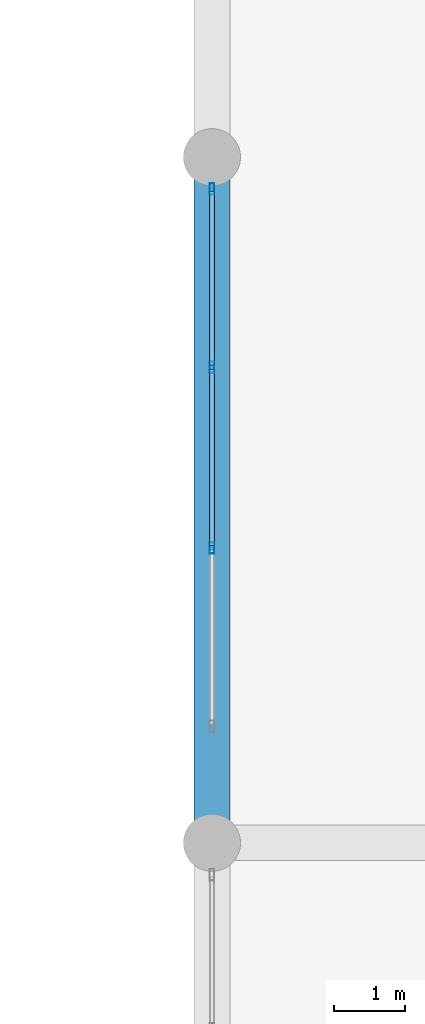
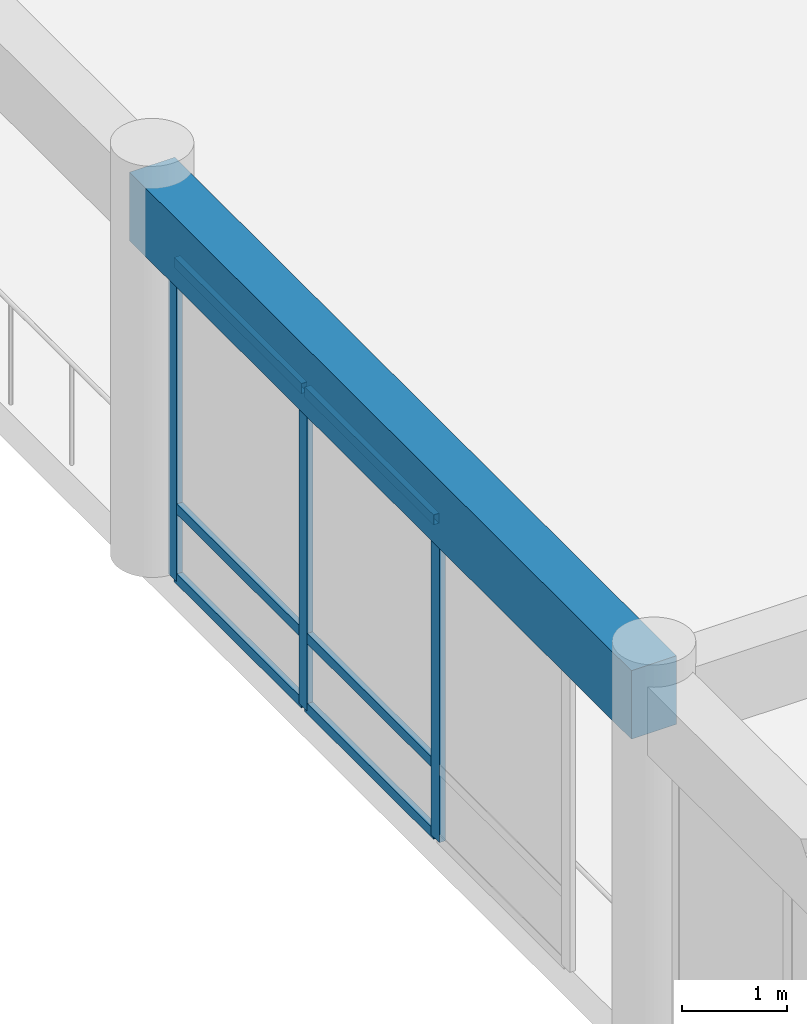
# One storey, part 16 of 101: 9 members, 1 beam, 1 element without a shape of its own.
"""IFC4 building model written with IfcOpenShell, lengths in metres."""

from ifc_helpers import new_model, si_unit, direction, frame, origin, origin_2d, place, context, subcontext, project, spatial, rectangle, hollow_rectangle, extrude, material, layer, layer_set, material_profile, profile_set, type_object, element, aggregate, save


model = new_model("IFC4")

# Units and contexts
model_context = context("Model", 3, precision=1e-05, world=origin(), true_north=direction((0.0, 1.0)))
body_context = subcontext(model_context, "Body", "Model", "MODEL_VIEW")
ifc_project = project(units=[si_unit("LENGTHUNIT", "METRE"), si_unit("AREAUNIT", "SQUARE_METRE"), si_unit("VOLUMEUNIT", "CUBIC_METRE"), si_unit("PLANEANGLEUNIT", "RADIAN"), si_unit("MASSUNIT", "GRAM", prefix="KILO")], contexts=[model_context])

# Site, building, storey
site_placement = place(None, origin())
site = spatial("IfcSite", under=ifc_project, at=site_placement, CompositionType="ELEMENT")
building_placement = place(site_placement, origin())
building = spatial("IfcBuilding", under=site, at=building_placement, Name="Nakhvara Creek Congress Hotel", CompositionType="ELEMENT")
storey_placement = place(building_placement, frame((0.0, 0.0, 16.199951171875)))
storey = spatial("IfcBuildingStorey", under=building, at=storey_placement, Name="L03", CompositionType="ELEMENT", Elevation=16.199951171875)

# Beam
ifc_material_1 = material(Name="Concrete C40/50", Category="concrete")
ifc_material_profile_1 = material_profile(ifc_material_1, rectangle(XDim=0.5, YDim=0.800048828125, at=origin_2d()), Name="RC-BM 500x800", Category="LoadBearing")
ifc_profile_set_1 = profile_set([ifc_material_profile_1], Name="Concrete C40/50")
beam_type = type_object("IfcBeamType", Name="BM-RC-500X800", PredefinedType="BEAM", material=ifc_profile_set_1)
beam_placement = place(storey_placement, frame((124.800048828125, 52.800048828125, 4.14013671875), z_axis=(0.0, 1.0, 0.0), x_axis=(-1.0, 0.0, 0.0)))
element("IfcBeam", 1, at=beam_placement, inside=storey, type_object=beam_type, Name="Beam B03-L03-1775", PredefinedType="BEAM", context=body_context, shape_type="SweptSolid", body=[
    extrude(rectangle(XDim=0.5, YDim=0.800048828125, at=origin_2d()), origin(), (0.0, 0.0, 1.0), 9.599853515625),
])

# Curtain wall, members
ifc_material_2 = material(Name="Bronze-anodised aluminium AW-6063-T6 and double-silver low-E glass", Category="aluminium")
ifc_layer = layer(ifc_material_2, 0.199951171875)
ifc_layer_set = layer_set([ifc_layer], Name="Bronze-anodised aluminium AW-6063-T6 and double-silver low-E glass")
curtain_wall_type = type_object("IfcCurtainWallType", Name="CW-POD-STICK", PredefinedType="NOTDEFINED", material=ifc_layer_set)
curtain_wall_placement = place(storey_placement, origin())
curtain_wall = element("IfcCurtainWall", 2, at=curtain_wall_placement, inside=storey, type_object=curtain_wall_type, Name="Curtain Wall CW062", PredefinedType="NOTDEFINED")
ifc_material_3 = material(Name="Bronze-anodised aluminium AW-6063-T6", Category="aluminium")
ifc_material_profile_2 = material_profile(ifc_material_3, hollow_rectangle(XDim=0.06494140625, YDim=0.159912109375, WallThickness=0.00390625, at=origin_2d()), Name="ALU-MULL 65x160x4", Category="LoadBearing")
ifc_profile_set_2 = profile_set([ifc_material_profile_2], Name="Bronze-anodised aluminium AW-6063-T6")
member_type_1 = type_object("IfcMemberType", Name="CW-MULL-160", PredefinedType="MULLION", material=ifc_profile_set_2)
member_1_placement = place(storey_placement, frame((124.800048828125, 56.92822265625, 0.0), z_axis=(0.0, 0.0, 1.0), x_axis=(-1.0, 0.0, 0.0)))
member_1 = element("IfcMember", 3, at=member_1_placement, type_object=member_type_1, Name="CW062 mullion 2", PredefinedType="MULLION", context=body_context, shape_type="SweptSolid", body=[
    extrude(hollow_rectangle(XDim=0.06494140625, YDim=0.159912109375, WallThickness=0.00390625, at=origin_2d()), origin(), (0.0, 0.0, 1.0), 3.73193359375),
])
member_2_placement = place(storey_placement, frame((124.800048828125, 59.456787109375, 0.0), z_axis=(0.0, 0.0, 1.0), x_axis=(-1.0, 0.0, 0.0)))
member_2 = element("IfcMember", 4, at=member_2_placement, type_object=member_type_1, Name="CW062 mullion 3", PredefinedType="MULLION", context=body_context, shape_type="SweptSolid", body=[
    extrude(hollow_rectangle(XDim=0.06494140625, YDim=0.159912109375, WallThickness=0.00390625, at=origin_2d()), origin(), (0.0, 0.0, 1.0), 3.73193359375),
])
member_3_placement = place(storey_placement, frame((124.800048828125, 61.952392578125, 0.0), z_axis=(0.0, 0.0, 1.0), x_axis=(-1.0, 0.0, 0.0)))
member_3 = element("IfcMember", 5, at=member_3_placement, type_object=member_type_1, Name="CW062 mullion 4", PredefinedType="MULLION", context=body_context, shape_type="SweptSolid", body=[
    extrude(hollow_rectangle(XDim=0.06494140625, YDim=0.159912109375, WallThickness=0.00390625, at=origin_2d()), origin(), (0.0, 0.0, 1.0), 3.73193359375),
])
ifc_material_profile_3 = material_profile(ifc_material_3, hollow_rectangle(XDim=0.06494140625, YDim=0.1201171875, WallThickness=0.00390625, at=origin_2d()), Name="ALU-TRAN 65x120x4", Category="LoadBearing")
ifc_profile_set_3 = profile_set([ifc_material_profile_3], Name="Bronze-anodised aluminium AW-6063-T6")
member_type_2 = type_object("IfcMemberType", Name="CW-TRAN-120", PredefinedType="USERDEFINED", material=ifc_profile_set_3)
member_4_placement = place(storey_placement, frame((124.800048828125, 56.9609375, 0.032470703125), z_axis=(0.0, 1.0, 0.0), x_axis=(-1.0, 0.0, 0.0)))
member_4 = element("IfcMember", 6, at=member_4_placement, type_object=member_type_2, Name="CW062 transom 2.1", ObjectType="TRANSOM", PredefinedType="USERDEFINED", context=body_context, shape_type="SweptSolid", body=[
    extrude(hollow_rectangle(XDim=0.06494140625, YDim=0.1201171875, WallThickness=0.00390625, at=origin_2d()), origin(), (0.0, 0.0, 1.0), 2.463134765625),
])
member_5_placement = place(storey_placement, frame((124.800048828125, 56.9609375, 0.85009765625), z_axis=(0.0, 1.0, 0.0), x_axis=(-1.0, 0.0, 0.0)))
member_5 = element("IfcMember", 7, at=member_5_placement, type_object=member_type_2, Name="CW062 transom 2.2", ObjectType="TRANSOM", PredefinedType="USERDEFINED", context=body_context, shape_type="SweptSolid", body=[
    extrude(hollow_rectangle(XDim=0.06494140625, YDim=0.1201171875, WallThickness=0.00390625, at=origin_2d()), origin(), (0.0, 0.0, 1.0), 2.463134765625),
])
member_6_placement = place(storey_placement, frame((124.800048828125, 56.9609375, 3.699462890625), z_axis=(0.0, 1.0, 0.0), x_axis=(-1.0, 0.0, 0.0)))
member_6 = element("IfcMember", 8, at=member_6_placement, type_object=member_type_2, Name="CW062 transom 2.3", ObjectType="TRANSOM", PredefinedType="USERDEFINED", context=body_context, shape_type="SweptSolid", body=[
    extrude(hollow_rectangle(XDim=0.06494140625, YDim=0.1201171875, WallThickness=0.00390625, at=origin_2d()), origin(), (0.0, 0.0, 1.0), 2.463134765625),
])
member_7_placement = place(storey_placement, frame((124.800048828125, 59.4892578125, 0.032470703125), z_axis=(0.0, 1.0, 0.0), x_axis=(-1.0, 0.0, 0.0)))
member_7 = element("IfcMember", 9, at=member_7_placement, type_object=member_type_2, Name="CW062 transom 3.1", ObjectType="TRANSOM", PredefinedType="USERDEFINED", context=body_context, shape_type="SweptSolid", body=[
    extrude(hollow_rectangle(XDim=0.06494140625, YDim=0.1201171875, WallThickness=0.00390625, at=origin_2d()), origin(), (0.0, 0.0, 1.0), 2.4306640625),
])
member_8_placement = place(storey_placement, frame((124.800048828125, 59.4892578125, 0.85009765625), z_axis=(0.0, 1.0, 0.0), x_axis=(-1.0, 0.0, 0.0)))
member_8 = element("IfcMember", 10, at=member_8_placement, type_object=member_type_2, Name="CW062 transom 3.2", ObjectType="TRANSOM", PredefinedType="USERDEFINED", context=body_context, shape_type="SweptSolid", body=[
    extrude(hollow_rectangle(XDim=0.06494140625, YDim=0.1201171875, WallThickness=0.00390625, at=origin_2d()), origin(), (0.0, 0.0, 1.0), 2.4306640625),
])
member_9_placement = place(storey_placement, frame((124.800048828125, 59.4892578125, 3.699462890625), z_axis=(0.0, 1.0, 0.0), x_axis=(-1.0, 0.0, 0.0)))
member_9 = element("IfcMember", 11, at=member_9_placement, type_object=member_type_2, Name="CW062 transom 3.3", ObjectType="TRANSOM", PredefinedType="USERDEFINED", context=body_context, shape_type="SweptSolid", body=[
    extrude(hollow_rectangle(XDim=0.06494140625, YDim=0.1201171875, WallThickness=0.00390625, at=origin_2d()), origin(), (0.0, 0.0, 1.0), 2.4306640625),
])
aggregate(curtain_wall, [member_1, member_2, member_3, member_4, member_5, member_6, member_7, member_8, member_9])

save(model, "model.ifc")
